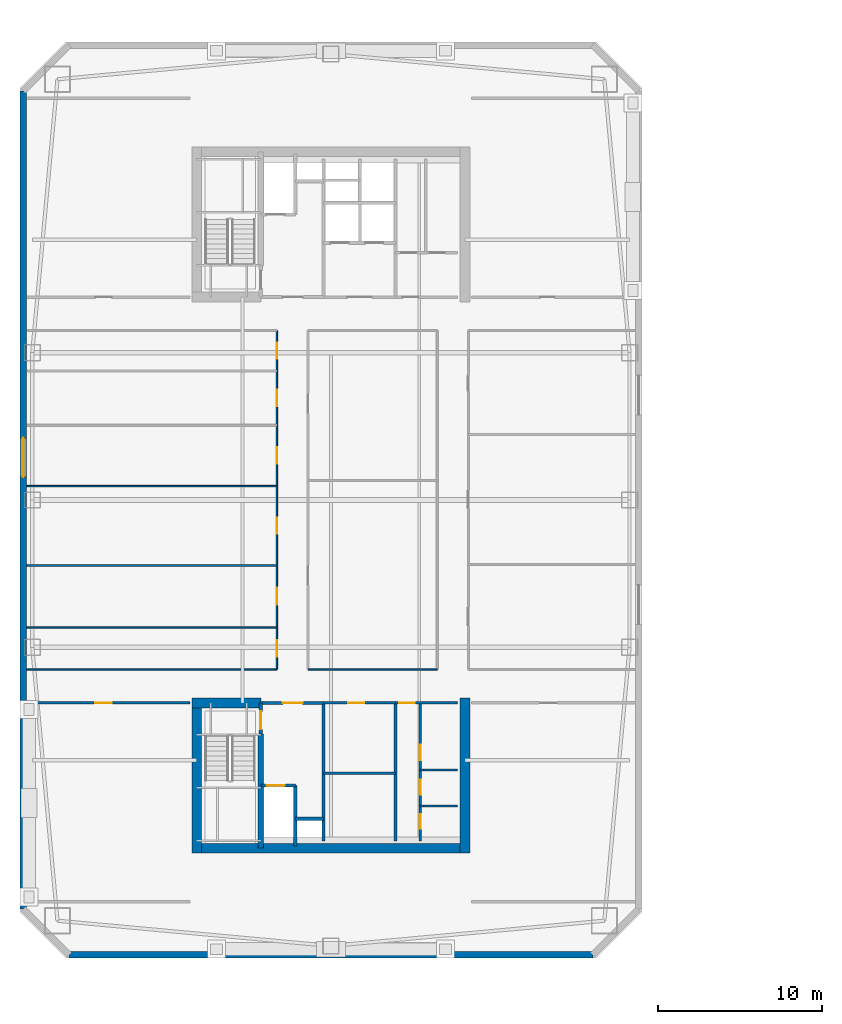
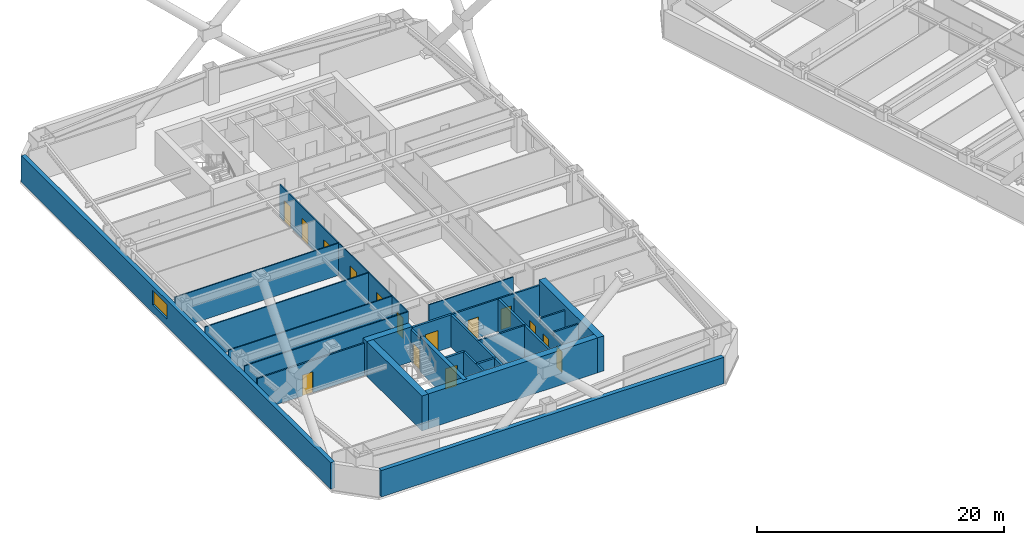
# One storey, part 4 of 12: 27 walls, 15 doors, 1 window, 16 openings.
"""IFC4 building model written with IfcOpenShell, lengths in metres."""

from ifc_helpers import new_model, si_unit, direction, frame, frame_2d, origin, place, context, subcontext, project, spatial, rectangle, extrude, material, layer, layer_set, type_object, element, fill, save


model = new_model("IFC4")

# Units and contexts
model_context = context("Model", 3, precision=1e-05, world=origin(), true_north=direction((0.0, 1.0)))
body_context = subcontext(model_context, "Body", "Model", "MODEL_VIEW")
ifc_project = project(units=[si_unit("LENGTHUNIT", "METRE"), si_unit("AREAUNIT", "SQUARE_METRE"), si_unit("VOLUMEUNIT", "CUBIC_METRE"), si_unit("PLANEANGLEUNIT", "RADIAN"), si_unit("MASSUNIT", "GRAM", prefix="KILO")], contexts=[model_context])

# Site, building, storey
site_placement = place(None, origin())
site = spatial("IfcSite", under=ifc_project, at=site_placement, CompositionType="ELEMENT")
building_placement = place(site_placement, origin())
building = spatial("IfcBuilding", under=site, at=building_placement, Name="Qiaolan Cultural Towers", CompositionType="ELEMENT")
storey_placement = place(building_placement, frame((0.0, 0.0, 106.949951171875)))
storey = spatial("IfcBuildingStorey", under=building, at=storey_placement, Name="L27", CompositionType="ELEMENT", Elevation=106.949951171875)

# Walls
ifc_material_1 = material(Name="Concrete C50", Category="concrete")
ifc_layer_1 = layer(ifc_material_1, 0.35009765625)
ifc_layer_set_1 = layer_set([ifc_layer_1], Name="Concrete C50")
wall_type_1 = type_object("IfcWallType", Name="WL-CORE-350", PredefinedType="SHEAR", material=ifc_layer_set_1)
wall_1_placement = place(storey_placement, frame((25.719970703125, 19.699951171875, 0.0), z_axis=(0.0, 0.0, 1.0), x_axis=(0.0, -1.0, 0.0)))
element("IfcWall", 1, at=wall_1_placement, inside=storey, type_object=wall_type_1, Name="L27 T1-CS Stair Core Dividing Web", PredefinedType="SHEAR", context=body_context, shape_type="SweptSolid", body=[
    extrude(rectangle(XDim=6.97998046875, YDim=0.35009765625, at=frame_2d((3.489990234375, 0.0))), origin(), (0.0, 0.0, 1.0), 3.449951171875),
])
ifc_material_2 = material(Name="Concrete C55", Category="concrete")
ifc_layer_2 = layer(ifc_material_2, 0.60009765625)
ifc_layer_set_2 = layer_set([ifc_layer_2], Name="Concrete C55")
wall_type_2 = type_object("IfcWallType", Name="WL-CORE-600", PredefinedType="SHEAR", material=ifc_layer_set_2)
wall_2_placement = place(storey_placement, frame((21.5, 12.719970703125, 0.0), z_axis=(0.0, 0.0, 1.0), x_axis=(1.0, 0.0, 0.0)))
element("IfcWall", 2, at=wall_2_placement, inside=storey, type_object=wall_type_2, Name="L27 T1-CS Outer Core Shear Wall", PredefinedType="SHEAR", context=body_context, shape_type="SweptSolid", body=[
    extrude(rectangle(XDim=17.0, YDim=0.60009765625, at=frame_2d((8.5, 0.0))), origin(), (0.0, 0.0, 1.0), 3.449951171875),
])
for number, where, z_axis, x_axis, name in (
    (3, (21.800048828125, 21.89990234375, 0.0), (0.0, 0.0, 1.0), (0.0, -1.0, 0.0), "L27 T1-CS West Core Shear Wall"),
    (4, (38.199951171875, 21.89990234375, 0.0), (0.0, 0.0, 1.0), (0.0, -1.0, 0.0), "L27 T1-CS East Core Shear Wall"),
):
    element("IfcWall", number, at=place(storey_placement, frame(where, z_axis=z_axis, x_axis=x_axis)), inside=storey, type_object=wall_type_2, Name=name, PredefinedType="SHEAR", context=body_context, shape_type="SweptSolid", body=[
        extrude(rectangle(XDim=9.47998046875, YDim=0.60009765625, at=frame_2d((4.739990234375, 0.0))), origin(), (0.0, 0.0, 1.0), 3.449951171875),
    ])
wall_3_placement = place(storey_placement, frame((21.5, 21.60009765625, 0.0), z_axis=(0.0, 0.0, 1.0), x_axis=(1.0, 0.0, 0.0)))
element("IfcWall", 5, at=wall_3_placement, inside=storey, type_object=wall_type_2, Name="L27 T1-CS Stair Front Shear Wall", PredefinedType="SHEAR", context=body_context, shape_type="SweptSolid", body=[
    extrude(rectangle(XDim=4.219970703125, YDim=0.60009765625, at=frame_2d((2.10986328125, 0.0))), origin(), (0.0, 0.0, 1.0), 3.449951171875),
])

# Wall, opening, window
ifc_material_3 = material(Name="Precast Concrete C50 Honed Stone Pier", Category="masonry")
ifc_layer_3 = layer(ifc_material_3, 0.39990234375)
ifc_layer_set_3 = layer_set([ifc_layer_3], Name="Precast Concrete C50 Honed Stone Pier")
wall_type_3 = type_object("IfcWallType", Name="WL-EXT-PIER-400", PredefinedType="SOLIDWALL", material=ifc_layer_set_3)
wall_4_placement = place(storey_placement, frame((11.199951171875, 9.0, 0.0), z_axis=(0.0, 0.0, 1.0), x_axis=(0.0, 1.0, 0.0)))
wall_4 = element("IfcWall", 6, at=wall_4_placement, inside=storey, type_object=wall_type_3, Name="L27 West Tower Precast Pier Facade Wall F1", PredefinedType="SOLIDWALL", context=body_context, shape_type="SweptSolid", body=[
    extrude(rectangle(XDim=50.0, YDim=0.39990234375, at=frame_2d((25.0, 0.0))), origin(), (0.0, 0.0, 1.0), 2.610107421875),
])
opening_1_placement = place(wall_4_placement, frame((26.39990234375, 0.0, 0.75)))
opening_1 = element("IfcOpeningElement", 7, at=opening_1_placement, cuts=wall_4, Name="Opening W-02", PredefinedType="OPENING", context=body_context, shape_type="SweptSolid", body=[
    extrude(rectangle(XDim=2.39990234375, YDim=1.4599609375, at=frame_2d((1.199951171875, 0.72998046875))), frame((0.0, 0.2099609375, 0.0), z_axis=(0.0, -1.0, 0.0), x_axis=(1.0, 0.0, 0.0)), (0.0, 0.0, 1.0), 0.419921875),
])
ifc_material_4 = material(Name="Thermally Broken Aluminium Triple Low-E Glazing", Category="aluminium")
window_type = type_object("IfcWindowType", Name="WN-CHIC-2400", PartitioningType="SINGLE_PANEL", PredefinedType="WINDOW", material=ifc_material_4)
window_placement = place(opening_1_placement, origin())
window = element("IfcWindow", 8, at=window_placement, inside=storey, type_object=window_type, Name="L27 T1 W Chicago Bay Window 1", OverallHeight=1.4599609375, OverallWidth=2.39990234375, PartitioningType="TRIPLE_PANEL_VERTICAL", PredefinedType="WINDOW", context=body_context, shape_type="SweptSolid", body=[
    extrude(rectangle(XDim=2.39990234375, YDim=1.4599609375, at=frame_2d((1.199951171875, 0.72998046875))), frame((0.0, 0.030029296875, 0.0), z_axis=(0.0, -1.0, 0.0), x_axis=(1.0, 0.0, 0.0)), (0.0, 0.0, 1.0), 0.06005859375),
])
fill(opening_1, window)

# Wall
wall_5_placement = place(storey_placement, frame((46.0, 6.199951171875, 0.0), z_axis=(0.0, 0.0, 1.0), x_axis=(-1.0, 0.0, 0.0)))
element("IfcWall", 9, at=wall_5_placement, inside=storey, type_object=wall_type_3, Name="L27 West Tower Precast Pier Facade Wall F7", PredefinedType="SOLIDWALL", context=body_context, shape_type="SweptSolid", body=[
    extrude(rectangle(XDim=32.0, YDim=0.39990234375, at=frame_2d((16.0, 0.0))), origin(), (0.0, 0.0, 1.0), 2.610107421875),
])

# Wall, opening, door
ifc_material_5 = material(Name="Concrete C35 Fire Wall", Category="concrete")
ifc_layer_4 = layer(ifc_material_5, 0.199951171875)
ifc_layer_set_4 = layer_set([ifc_layer_4], Name="Concrete C35 Fire Wall")
wall_type_4 = type_object("IfcWallType", Name="WL-FIRE-200", PredefinedType="PARTITIONING", material=ifc_layer_set_4)
wall_6_placement = place(storey_placement, frame((25.719970703125, 21.60009765625, 0.0), z_axis=(0.0, 0.0, 1.0), x_axis=(0.0, -1.0, 0.0)))
wall_6 = element("IfcWall", 10, at=wall_6_placement, inside=storey, type_object=wall_type_4, Name="L27 T1-CS Smokeproof Stair Entry Wall", PredefinedType="PARTITIONING", context=body_context, shape_type="SweptSolid", body=[
    extrude(rectangle(XDim=1.900146484375, YDim=0.199951171875, at=frame_2d((0.9501953125, 0.0))), origin(), (0.0, 0.0, 1.0), 3.175048828125),
])
opening_2_placement = place(wall_6_placement, frame((0.52001953125, 0.0, 0.0)))
opening_2 = element("IfcOpeningElement", 11, at=opening_2_placement, cuts=wall_6, Name="Opening FD-04", PredefinedType="OPENING", context=body_context, shape_type="SweptSolid", body=[
    extrude(rectangle(XDim=1.10009765625, YDim=2.050048828125, at=frame_2d((0.550048828125, 1.02490234375))), frame((0.0, 0.10986328125, 0.0), z_axis=(0.0, -1.0, 0.0), x_axis=(1.0, 0.0, 0.0)), (0.0, 0.0, 1.0), 0.219970703125),
])
ifc_material_6 = material(Name="Galvanized Steel Command Fire Door", Category="steel")
door_type_1 = type_object("IfcDoorType", Name="DR-FD90-1100", OperationType="NOTDEFINED", PredefinedType="DOOR", material=ifc_material_6)
door_1_placement = place(opening_2_placement, origin())
door_1 = element("IfcDoor", 12, at=door_1_placement, inside=storey, type_object=door_type_1, Name="L27 ST-W1 Smokeproof Stair Fire Door", OperationType="SINGLE_SWING_LEFT", OverallHeight=2.050048828125, OverallWidth=1.10009765625, PredefinedType="DOOR", context=body_context, shape_type="SweptSolid", body=[
    extrude(rectangle(XDim=1.10009765625, YDim=2.050048828125, at=frame_2d((0.550048828125, 1.02490234375))), frame((0.0, 0.02490234375, 0.0), z_axis=(0.0, -1.0, 0.0), x_axis=(1.0, 0.0, 0.0)), (0.0, 0.0, 1.0), 0.050048828125),
])
fill(opening_2, door_1)

# Wall
wall_7_placement = place(storey_placement, frame((29.550048828125, 21.60009765625, 0.0), z_axis=(0.0, 0.0, 1.0), x_axis=(0.0, -1.0, 0.0)))
element("IfcWall", 13, at=wall_7_placement, inside=storey, type_object=wall_type_4, Name="L27 T1-CS Firefighting Zone Wall", PredefinedType="PARTITIONING", context=body_context, shape_type="SweptSolid", body=[
    extrude(rectangle(XDim=8.43017578125, YDim=0.199951171875, at=frame_2d((4.215087890625, 0.0))), origin(), (0.0, 0.0, 1.0), 3.175048828125),
])

# Wall, opening, door
wall_8_placement = place(storey_placement, frame((25.719970703125, 21.60009765625, 0.0), z_axis=(0.0, 0.0, 1.0), x_axis=(1.0, 0.0, 0.0)))
wall_8 = element("IfcWall", 14, at=wall_8_placement, inside=storey, type_object=wall_type_4, Name="L27 T1-CS Firefighting Lobby Front Wall", PredefinedType="PARTITIONING", context=body_context, shape_type="SweptSolid", body=[
    extrude(rectangle(XDim=3.830078125, YDim=0.199951171875, at=frame_2d((1.9150390625, 0.0))), origin(), (0.0, 0.0, 1.0), 3.175048828125),
])
opening_3_placement = place(wall_8_placement, frame((1.35009765625, 0.0, 0.0)))
opening_3 = element("IfcOpeningElement", 15, at=opening_3_placement, cuts=wall_8, Name="Opening FD-03", PredefinedType="OPENING", context=body_context, shape_type="SweptSolid", body=[
    extrude(rectangle(XDim=1.199951171875, YDim=2.050048828125, at=frame_2d((0.60009765625, 1.02490234375))), frame((0.0, 0.10986328125, 0.0), z_axis=(0.0, -1.0, 0.0), x_axis=(1.0, 0.0, 0.0)), (0.0, 0.0, 1.0), 0.219970703125),
])
ifc_material_7 = material(Name="Galvanized Steel Smokeproof Lobby Fire Door", Category="steel")
door_type_2 = type_object("IfcDoorType", Name="DR-FD90-1200", OperationType="NOTDEFINED", PredefinedType="DOOR", material=ifc_material_7)
door_2_placement = place(opening_3_placement, origin())
door_2 = element("IfcDoor", 16, at=door_2_placement, inside=storey, type_object=door_type_2, Name="L27 FFL-W1 Firefighting Lobby Fire Door", OperationType="SINGLE_SWING_LEFT", OverallHeight=2.050048828125, OverallWidth=1.199951171875, PredefinedType="DOOR", context=body_context, shape_type="SweptSolid", body=[
    extrude(rectangle(XDim=1.199951171875, YDim=2.050048828125, at=frame_2d((0.60009765625, 1.02490234375))), frame((0.0, 0.02490234375, 0.0), z_axis=(0.0, -1.0, 0.0), x_axis=(1.0, 0.0, 0.0)), (0.0, 0.0, 1.0), 0.050048828125),
])
fill(opening_3, door_2)

wall_9_placement = place(storey_placement, frame((25.719970703125, 16.550048828125, 0.0), z_axis=(0.0, 0.0, 1.0), x_axis=(1.0, 0.0, 0.0)))
wall_9 = element("IfcWall", 17, at=wall_9_placement, inside=storey, type_object=wall_type_4, Name="L27 T1-CS Firefighting Shaft Front Wall", PredefinedType="PARTITIONING", context=body_context, shape_type="SweptSolid", body=[
    extrude(rectangle(XDim=2.10009765625, YDim=0.199951171875, at=frame_2d((1.050048828125, 0.0))), origin(), (0.0, 0.0, 1.0), 3.175048828125),
])
opening_4_placement = place(wall_9_placement, frame((0.35009765625, 0.0, 0.0)))
opening_4 = element("IfcOpeningElement", 18, at=opening_4_placement, cuts=wall_9, Name="Opening LD-01", PredefinedType="OPENING", context=body_context, shape_type="SweptSolid", body=[
    extrude(rectangle(XDim=1.10009765625, YDim=2.050048828125, at=frame_2d((0.550048828125, 1.02490234375))), frame((0.0, 0.10986328125, 0.0), z_axis=(0.0, -1.0, 0.0), x_axis=(1.0, 0.0, 0.0)), (0.0, 0.0, 1.0), 0.219970703125),
])
ifc_material_8 = material(Name="Brushed Stainless Steel S30408 Centre-Parting Lift Landing Door", Category="steel")
door_type_3 = type_object("IfcDoorType", Name="DR-LIFT-1100", OperationType="NOTDEFINED", PredefinedType="DOOR", material=ifc_material_8)
door_3_placement = place(opening_4_placement, origin())
door_3 = element("IfcDoor", 19, at=door_3_placement, inside=storey, type_object=door_type_3, Name="L27 FFL-W1 Firefighting Lift Landing Door", OperationType="DOUBLE_DOOR_SLIDING", OverallHeight=2.050048828125, OverallWidth=1.10009765625, PredefinedType="DOOR", context=body_context, shape_type="SweptSolid", body=[
    extrude(rectangle(XDim=1.10009765625, YDim=2.050048828125, at=frame_2d((0.550048828125, 1.02490234375))), frame((0.0, 0.02490234375, 0.0), z_axis=(0.0, -1.0, 0.0), x_axis=(1.0, 0.0, 0.0)), (0.0, 0.0, 1.0), 0.050048828125),
])
fill(opening_4, door_3)

# Walls
wall_10_placement = place(storey_placement, frame((27.820068359375, 16.550048828125, 0.0), z_axis=(0.0, 0.0, 1.0), x_axis=(0.0, -1.0, 0.0)))
element("IfcWall", 20, at=wall_10_placement, inside=storey, type_object=wall_type_4, Name="L27 T1-CS Firefighting Hoistway East Wall", PredefinedType="PARTITIONING", context=body_context, shape_type="SweptSolid", body=[
    extrude(rectangle(XDim=3.699951171875, YDim=0.199951171875, at=frame_2d((1.85009765625, 0.0))), origin(), (0.0, 0.0, 1.0), 3.175048828125),
])
wall_11_placement = place(storey_placement, frame((27.820068359375, 14.52001953125, 0.0), z_axis=(0.0, 0.0, 1.0), x_axis=(1.0, 0.0, 0.0)))
element("IfcWall", 21, at=wall_11_placement, inside=storey, type_object=wall_type_4, Name="L27 T1-CS Pressurization Shaft Front Wall", PredefinedType="PARTITIONING", context=body_context, shape_type="SweptSolid", body=[
    extrude(rectangle(XDim=1.72998046875, YDim=0.199951171875, at=frame_2d((0.864990234375, 0.0))), origin(), (0.0, 0.0, 1.0), 3.175048828125),
])
wall_12_placement = place(storey_placement, frame((33.949951171875, 21.60009765625, 0.0), z_axis=(0.0, 0.0, 1.0), x_axis=(0.0, -1.0, 0.0)))
element("IfcWall", 22, at=wall_12_placement, inside=storey, type_object=wall_type_4, Name="L27 T1-CS Lift Core East Wall", PredefinedType="PARTITIONING", context=body_context, shape_type="SweptSolid", body=[
    extrude(rectangle(XDim=8.43017578125, YDim=0.199951171875, at=frame_2d((4.215087890625, 0.0))), origin(), (0.0, 0.0, 1.0), 3.175048828125),
])
ifc_material_9 = material(Name="Acoustic Double-Glazed Partition Frame", Category="glass")
ifc_layer_5 = layer(ifc_material_9, 0.10009765625)
ifc_layer_set_5 = layer_set([ifc_layer_5], Name="Acoustic Double-Glazed Partition Frame")
wall_type_5 = type_object("IfcWallType", Name="WL-GLAZED-100", PredefinedType="MOVABLE", material=ifc_layer_set_5)
wall_13_placement = place(storey_placement, frame((11.39990234375, 23.64990234375, 0.0), z_axis=(0.0, 0.0, 1.0), x_axis=(1.0, 0.0, 0.0)))
element("IfcWall", 23, at=wall_13_placement, inside=storey, type_object=wall_type_5, Name="L27 T1 Interior Wall", PredefinedType="MOVABLE", context=body_context, shape_type="SweptSolid", body=[
    extrude(rectangle(XDim=15.300048828125, YDim=0.10009765625, at=frame_2d((7.64990234375, 0.0))), origin(), (0.0, 0.0, 1.0), 3.175048828125),
])
wall_14_placement = place(storey_placement, frame((28.60009765625, 23.64990234375, 0.0), z_axis=(0.0, 0.0, 1.0), x_axis=(1.0, 0.0, 0.0)))
element("IfcWall", 24, at=wall_14_placement, inside=storey, type_object=wall_type_5, Name="L27 T1 Interior Wall", PredefinedType="MOVABLE", context=body_context, shape_type="SweptSolid", body=[
    extrude(rectangle(XDim=7.89990234375, YDim=0.10009765625, at=frame_2d((3.949951171875, 0.0))), origin(), (0.0, 0.0, 1.0), 3.175048828125),
])

# Wall, openings, doors
wall_15_placement = place(storey_placement, frame((26.699951171875, 23.64990234375, 0.0), z_axis=(0.0, 0.0, 1.0), x_axis=(0.0, 1.0, 0.0)))
wall_15 = element("IfcWall", 25, at=wall_15_placement, inside=storey, type_object=wall_type_5, Name="L27 T1 Interior Wall", PredefinedType="MOVABLE", context=body_context, shape_type="SweptSolid", body=[
    extrude(rectangle(XDim=20.7001953125, YDim=0.10009765625, at=frame_2d((10.35009765625, 0.0))), origin(), (0.0, 0.0, 1.0), 3.175048828125),
])
opening_5_placement = place(wall_15_placement, frame((0.77490234375, 0.0, 0.0)))
opening_5 = element("IfcOpeningElement", 26, at=opening_5_placement, cuts=wall_15, Name="Opening ID-04", PredefinedType="OPENING", context=body_context, shape_type="SweptSolid", body=[
    extrude(rectangle(XDim=1.0, YDim=2.050048828125, at=frame_2d((0.5, 1.02490234375))), frame((0.0, 0.06005859375, 0.0), z_axis=(0.0, -1.0, 0.0), x_axis=(1.0, 0.0, 0.0)), (0.0, 0.0, 1.0), 0.1201171875),
])
opening_6_placement = place(wall_15_placement, frame((3.949951171875, 0.0, 0.0)))
opening_6 = element("IfcOpeningElement", 27, at=opening_6_placement, cuts=wall_15, Name="Opening ID-07", PredefinedType="OPENING", context=body_context, shape_type="SweptSolid", body=[
    extrude(rectangle(XDim=1.050048828125, YDim=2.050048828125, at=frame_2d((0.52490234375, 1.02490234375))), frame((0.0, 0.06005859375, 0.0), z_axis=(0.0, -1.0, 0.0), x_axis=(1.0, 0.0, 0.0)), (0.0, 0.0, 1.0), 0.1201171875),
])
opening_7_placement = place(wall_15_placement, frame((8.27294921875, 0.0, 0.0)))
opening_7 = element("IfcOpeningElement", 28, at=opening_7_placement, cuts=wall_15, Name="Opening ID-04", PredefinedType="OPENING", context=body_context, shape_type="SweptSolid", body=[
    extrude(rectangle(XDim=1.0, YDim=2.050048828125, at=frame_2d((0.5, 1.02490234375))), frame((0.0, 0.06005859375, 0.0), z_axis=(0.0, -1.0, 0.0), x_axis=(1.0, 0.0, 0.0)), (0.0, 0.0, 1.0), 0.1201171875),
])
opening_8_placement = place(wall_15_placement, frame((12.55908203125, 0.0, 0.0)))
opening_8 = element("IfcOpeningElement", 29, at=opening_8_placement, cuts=wall_15, Name="Opening ID-04", PredefinedType="OPENING", context=body_context, shape_type="SweptSolid", body=[
    extrude(rectangle(XDim=1.0, YDim=2.050048828125, at=frame_2d((0.5, 1.02490234375))), frame((0.0, 0.06005859375, 0.0), z_axis=(0.0, -1.0, 0.0), x_axis=(1.0, 0.0, 0.0)), (0.0, 0.0, 1.0), 0.1201171875),
])
opening_9_placement = place(wall_15_placement, frame((16.077880859375, 0.0, 0.0)))
opening_9 = element("IfcOpeningElement", 30, at=opening_9_placement, cuts=wall_15, Name="Opening ID-04", PredefinedType="OPENING", context=body_context, shape_type="SweptSolid", body=[
    extrude(rectangle(XDim=1.0, YDim=2.050048828125, at=frame_2d((0.5, 1.02490234375))), frame((0.0, 0.06005859375, 0.0), z_axis=(0.0, -1.0, 0.0), x_axis=(1.0, 0.0, 0.0)), (0.0, 0.0, 1.0), 0.1201171875),
])
opening_10_placement = place(wall_15_placement, frame((18.967041015625, 0.0, 0.0)))
opening_10 = element("IfcOpeningElement", 31, at=opening_10_placement, cuts=wall_15, Name="Opening ID-04", PredefinedType="OPENING", context=body_context, shape_type="SweptSolid", body=[
    extrude(rectangle(XDim=1.0, YDim=2.050048828125, at=frame_2d((0.5, 1.02490234375))), frame((0.0, 0.06005859375, 0.0), z_axis=(0.0, -1.0, 0.0), x_axis=(1.0, 0.0, 0.0)), (0.0, 0.0, 1.0), 0.1201171875),
])
ifc_material_10 = material(Name="Oak Veneer Acoustic Office Door", Category="timber")
door_type_4 = type_object("IfcDoorType", Name="DR-INT-1000", OperationType="NOTDEFINED", PredefinedType="DOOR", material=ifc_material_10)
door_4_placement = place(opening_5_placement, origin())
door_4 = element("IfcDoor", 32, at=door_4_placement, inside=storey, type_object=door_type_4, Name="L27 T1 Advisory Office Door", OperationType="SINGLE_SWING_LEFT", OverallHeight=2.050048828125, OverallWidth=1.0, PredefinedType="DOOR", context=body_context, shape_type="SweptSolid", body=[
    extrude(rectangle(XDim=1.0, YDim=2.050048828125, at=frame_2d((0.5, 1.02490234375))), frame((0.0, 0.02490234375, 0.0), z_axis=(0.0, -1.0, 0.0), x_axis=(1.0, 0.0, 0.0)), (0.0, 0.0, 1.0), 0.050048828125),
])
fill(opening_5, door_4)
door_5_placement = place(opening_7_placement, origin())
door_5 = element("IfcDoor", 33, at=door_5_placement, inside=storey, type_object=door_type_4, Name="L27 T1 Advisory Office Door", OperationType="SINGLE_SWING_LEFT", OverallHeight=2.050048828125, OverallWidth=1.0, PredefinedType="DOOR", context=body_context, shape_type="SweptSolid", body=[
    extrude(rectangle(XDim=1.0, YDim=2.050048828125, at=frame_2d((0.5, 1.02490234375))), frame((0.0, 0.02490234375, 0.0), z_axis=(0.0, -1.0, 0.0), x_axis=(1.0, 0.0, 0.0)), (0.0, 0.0, 1.0), 0.050048828125),
])
fill(opening_7, door_5)
door_6_placement = place(opening_8_placement, origin())
door_6 = element("IfcDoor", 34, at=door_6_placement, inside=storey, type_object=door_type_4, Name="L27 T1 Advisory Office Door", OperationType="SINGLE_SWING_RIGHT", OverallHeight=2.050048828125, OverallWidth=1.0, PredefinedType="DOOR", context=body_context, shape_type="SweptSolid", body=[
    extrude(rectangle(XDim=1.0, YDim=2.050048828125, at=frame_2d((0.5, 1.02490234375))), frame((0.0, 0.02490234375, 0.0), z_axis=(0.0, -1.0, 0.0), x_axis=(1.0, 0.0, 0.0)), (0.0, 0.0, 1.0), 0.050048828125),
])
fill(opening_8, door_6)
door_7_placement = place(opening_9_placement, origin())
door_7 = element("IfcDoor", 35, at=door_7_placement, inside=storey, type_object=door_type_4, Name="L27 T1 Advisory Office Door", OperationType="SINGLE_SWING_LEFT", OverallHeight=2.050048828125, OverallWidth=1.0, PredefinedType="DOOR", context=body_context, shape_type="SweptSolid", body=[
    extrude(rectangle(XDim=1.0, YDim=2.050048828125, at=frame_2d((0.5, 1.02490234375))), frame((0.0, 0.02490234375, 0.0), z_axis=(0.0, -1.0, 0.0), x_axis=(1.0, 0.0, 0.0)), (0.0, 0.0, 1.0), 0.050048828125),
])
fill(opening_9, door_7)
door_8_placement = place(opening_10_placement, origin())
door_8 = element("IfcDoor", 36, at=door_8_placement, inside=storey, type_object=door_type_4, Name="L27 T1 Advisory Office Door", OperationType="SINGLE_SWING_RIGHT", OverallHeight=2.050048828125, OverallWidth=1.0, PredefinedType="DOOR", context=body_context, shape_type="SweptSolid", body=[
    extrude(rectangle(XDim=1.0, YDim=2.050048828125, at=frame_2d((0.5, 1.02490234375))), frame((0.0, 0.02490234375, 0.0), z_axis=(0.0, -1.0, 0.0), x_axis=(1.0, 0.0, 0.0)), (0.0, 0.0, 1.0), 0.050048828125),
])
fill(opening_10, door_8)
ifc_material_11 = material(Name="Oak Veneer Consultation Door", Category="timber")
door_type_5 = type_object("IfcDoorType", Name="DR-INT-1050", OperationType="NOTDEFINED", PredefinedType="DOOR", material=ifc_material_11)
door_9_placement = place(opening_6_placement, origin())
door_9 = element("IfcDoor", 37, at=door_9_placement, inside=storey, type_object=door_type_5, Name="L27 T1 Advisory Office Door", OperationType="SINGLE_SWING_RIGHT", OverallHeight=2.050048828125, OverallWidth=1.050048828125, PredefinedType="DOOR", context=body_context, shape_type="SweptSolid", body=[
    extrude(rectangle(XDim=1.050048828125, YDim=2.050048828125, at=frame_2d((0.52490234375, 1.02490234375))), frame((0.0, 0.02490234375, 0.0), z_axis=(0.0, -1.0, 0.0), x_axis=(1.0, 0.0, 0.0)), (0.0, 0.0, 1.0), 0.050048828125),
])
fill(opening_6, door_9)

# Walls
for number, where, z_axis, x_axis, name in (
    (38, (11.39990234375, 26.199951171875, 0.0), (0.0, 0.0, 1.0), (1.0, 0.0, 0.0), "L27 T1 Interior Wall"),
    (39, (11.39990234375, 30.0, 0.0), (0.0, 0.0, 1.0), (1.0, 0.0, 0.0), "L27 T1 Interior Wall"),
    (40, (11.39990234375, 34.845947265625, 0.0), (0.0, 0.0, 1.0), (1.0, 0.0, 0.0), "L27 T1 Interior Wall"),
):
    element("IfcWall", number, at=place(storey_placement, frame(where, z_axis=z_axis, x_axis=x_axis)), inside=storey, type_object=wall_type_5, Name=name, PredefinedType="MOVABLE", context=body_context, shape_type="SweptSolid", body=[
        extrude(rectangle(XDim=15.300048828125, YDim=0.10009765625, at=frame_2d((7.64990234375, 0.0))), origin(), (0.0, 0.0, 1.0), 3.175048828125),
    ])

# Wall, opening, door
ifc_material_12 = material(Name="Autoclaved Aerated Concrete Block B06", Category="concrete")
ifc_layer_6 = layer(ifc_material_12, 0.14990234375)
ifc_layer_set_6 = layer_set([ifc_layer_6], Name="Autoclaved Aerated Concrete Block B06")
wall_type_6 = type_object("IfcWallType", Name="WL-PART-150", PredefinedType="PARTITIONING", material=ifc_layer_set_6)
wall_16_placement = place(storey_placement, frame((29.550048828125, 21.60009765625, 0.0), z_axis=(0.0, 0.0, 1.0), x_axis=(1.0, 0.0, 0.0)))
wall_16 = element("IfcWall", 41, at=wall_16_placement, inside=storey, type_object=wall_type_6, Name="L27 T1-CS Reclaimed Core Room Front Wall", PredefinedType="PARTITIONING", context=body_context, shape_type="SweptSolid", body=[
    extrude(rectangle(XDim=4.39990234375, YDim=0.14990234375, at=frame_2d((2.199951171875, 0.0))), origin(), (0.0, 0.0, 1.0), 3.175048828125),
])
opening_11_placement = place(wall_16_placement, frame((1.5, 0.0, 0.0)))
opening_11 = element("IfcOpeningElement", 42, at=opening_11_placement, cuts=wall_16, Name="Opening ID-04", PredefinedType="OPENING", context=body_context, shape_type="SweptSolid", body=[
    extrude(rectangle(XDim=1.0, YDim=2.050048828125, at=frame_2d((0.5, 1.02490234375))), frame((0.0, 0.0849609375, 0.0), z_axis=(0.0, -1.0, 0.0), x_axis=(1.0, 0.0, 0.0)), (0.0, 0.0, 1.0), 0.169921875),
])
door_10_placement = place(opening_11_placement, origin())
door_10 = element("IfcDoor", 43, at=door_10_placement, inside=storey, type_object=door_type_4, Name="L27 Focus Pod Room Door", OperationType="SINGLE_SWING_LEFT", OverallHeight=2.050048828125, OverallWidth=1.0, PredefinedType="DOOR", context=body_context, shape_type="SweptSolid", body=[
    extrude(rectangle(XDim=1.0, YDim=2.050048828125, at=frame_2d((0.5, 1.02490234375))), frame((0.0, 0.02490234375, 0.0), z_axis=(0.0, -1.0, 0.0), x_axis=(1.0, 0.0, 0.0)), (0.0, 0.0, 1.0), 0.050048828125),
])
fill(opening_11, door_10)

# Wall
wall_17_placement = place(storey_placement, frame((29.550048828125, 17.300048828125, 0.0), z_axis=(0.0, 0.0, 1.0), x_axis=(1.0, 0.0, 0.0)))
element("IfcWall", 44, at=wall_17_placement, inside=storey, type_object=wall_type_6, Name="L27 T1-CS Reclaimed Room Subdivider", PredefinedType="PARTITIONING", context=body_context, shape_type="SweptSolid", body=[
    extrude(rectangle(XDim=4.39990234375, YDim=0.14990234375, at=frame_2d((2.199951171875, 0.0))), origin(), (0.0, 0.0, 1.0), 3.175048828125),
])

# Wall, opening, door
wall_18_placement = place(storey_placement, frame((33.949951171875, 21.60009765625, 0.0), z_axis=(0.0, 0.0, 1.0), x_axis=(1.0, 0.0, 0.0)))
wall_18 = element("IfcWall", 45, at=wall_18_placement, inside=storey, type_object=wall_type_6, Name="L27 T1-CS Sanitary Core Front Wall", PredefinedType="PARTITIONING", context=body_context, shape_type="SweptSolid", body=[
    extrude(rectangle(XDim=3.800048828125, YDim=0.14990234375, at=frame_2d((1.89990234375, 0.0))), origin(), (0.0, 0.0, 1.0), 3.175048828125),
])
opening_12_placement = place(wall_18_placement, frame((0.219970703125, 0.0, 0.0)))
opening_12 = element("IfcOpeningElement", 46, at=opening_12_placement, cuts=wall_18, Name="Opening ID-05", PredefinedType="OPENING", context=body_context, shape_type="SweptSolid", body=[
    extrude(rectangle(XDim=0.949951171875, YDim=2.050048828125, at=frame_2d((0.47509765625, 1.02490234375))), frame((0.0, 0.0849609375, 0.0), z_axis=(0.0, -1.0, 0.0), x_axis=(1.0, 0.0, 0.0)), (0.0, 0.0, 1.0), 0.169921875),
])
ifc_material_13 = material(Name="Fire-Rated Laminate Accessible Core Door", Category="timber")
door_type_6 = type_object("IfcDoorType", Name="DR-INT-950", OperationType="NOTDEFINED", PredefinedType="DOOR", material=ifc_material_13)
door_11_placement = place(opening_12_placement, origin())
door_11 = element("IfcDoor", 47, at=door_11_placement, inside=storey, type_object=door_type_6, Name="L27 Sanitary Vestibule Door", OperationType="SINGLE_SWING_LEFT", OverallHeight=2.050048828125, OverallWidth=0.949951171875, PredefinedType="DOOR", context=body_context, shape_type="SweptSolid", body=[
    extrude(rectangle(XDim=0.949951171875, YDim=2.050048828125, at=frame_2d((0.47509765625, 1.02490234375))), frame((0.0, 0.02490234375, 0.0), z_axis=(0.0, -1.0, 0.0), x_axis=(1.0, 0.0, 0.0)), (0.0, 0.0, 1.0), 0.050048828125),
])
fill(opening_12, door_11)

# Wall, openings, doors
wall_19_placement = place(storey_placement, frame((35.449951171875, 21.60009765625, 0.0), z_axis=(0.0, 0.0, 1.0), x_axis=(0.0, -1.0, 0.0)))
wall_19 = element("IfcWall", 48, at=wall_19_placement, inside=storey, type_object=wall_type_6, Name="L27 T1-CS Sanitary Vestibule Wall", PredefinedType="PARTITIONING", context=body_context, shape_type="SweptSolid", body=[
    extrude(rectangle(XDim=8.43017578125, YDim=0.14990234375, at=frame_2d((4.215087890625, 0.0))), origin(), (0.0, 0.0, 1.0), 2.81494140625),
])
opening_13_placement = place(wall_19_placement, frame((2.550048828125, 0.0, 0.0)))
opening_13 = element("IfcOpeningElement", 49, at=opening_13_placement, cuts=wall_19, Name="Opening ID-05", PredefinedType="OPENING", context=body_context, shape_type="SweptSolid", body=[
    extrude(rectangle(XDim=0.949951171875, YDim=2.050048828125, at=frame_2d((0.47509765625, 1.02490234375))), frame((0.0, 0.0849609375, 0.0), z_axis=(0.0, -1.0, 0.0), x_axis=(1.0, 0.0, 0.0)), (0.0, 0.0, 1.0), 0.169921875),
])
opening_14_placement = place(wall_19_placement, frame((4.699951171875, 0.0, 0.0)))
opening_14 = element("IfcOpeningElement", 50, at=opening_14_placement, cuts=wall_19, Name="Opening ID-06", PredefinedType="OPENING", context=body_context, shape_type="SweptSolid", body=[
    extrude(rectangle(XDim=0.89990234375, YDim=2.050048828125, at=frame_2d((0.449951171875, 1.02490234375))), frame((0.0, 0.0849609375, 0.0), z_axis=(0.0, -1.0, 0.0), x_axis=(1.0, 0.0, 0.0)), (0.0, 0.0, 1.0), 0.169921875),
])
opening_15_placement = place(wall_19_placement, frame((6.800048828125, 0.0, 0.0)))
opening_15 = element("IfcOpeningElement", 51, at=opening_15_placement, cuts=wall_19, Name="Opening ID-06", PredefinedType="OPENING", context=body_context, shape_type="SweptSolid", body=[
    extrude(rectangle(XDim=0.89990234375, YDim=2.050048828125, at=frame_2d((0.449951171875, 1.02490234375))), frame((0.0, 0.0849609375, 0.0), z_axis=(0.0, -1.0, 0.0), x_axis=(1.0, 0.0, 0.0)), (0.0, 0.0, 1.0), 0.169921875),
])
ifc_material_14 = material(Name="Fire-Rated Laminate Core Service Door", Category="timber")
door_type_7 = type_object("IfcDoorType", Name="DR-INT-900", OperationType="NOTDEFINED", PredefinedType="DOOR", material=ifc_material_14)
door_12_placement = place(opening_14_placement, origin())
door_12 = element("IfcDoor", 52, at=door_12_placement, inside=storey, type_object=door_type_7, Name="L27 Men Washroom Door", OperationType="SINGLE_SWING_LEFT", OverallHeight=2.050048828125, OverallWidth=0.89990234375, PredefinedType="DOOR", context=body_context, shape_type="SweptSolid", body=[
    extrude(rectangle(XDim=0.89990234375, YDim=2.050048828125, at=frame_2d((0.449951171875, 1.02490234375))), frame((0.0, 0.02490234375, 0.0), z_axis=(0.0, -1.0, 0.0), x_axis=(1.0, 0.0, 0.0)), (0.0, 0.0, 1.0), 0.050048828125),
])
fill(opening_14, door_12)
door_13_placement = place(opening_15_placement, origin())
door_13 = element("IfcDoor", 53, at=door_13_placement, inside=storey, type_object=door_type_7, Name="L27 Women Washroom Door", OperationType="SINGLE_SWING_RIGHT", OverallHeight=2.050048828125, OverallWidth=0.89990234375, PredefinedType="DOOR", context=body_context, shape_type="SweptSolid", body=[
    extrude(rectangle(XDim=0.89990234375, YDim=2.050048828125, at=frame_2d((0.449951171875, 1.02490234375))), frame((0.0, 0.02490234375, 0.0), z_axis=(0.0, -1.0, 0.0), x_axis=(1.0, 0.0, 0.0)), (0.0, 0.0, 1.0), 0.050048828125),
])
fill(opening_15, door_13)
door_14_placement = place(opening_13_placement, origin())
door_14 = element("IfcDoor", 54, at=door_14_placement, inside=storey, type_object=door_type_6, Name="L27 Accessible Family Washroom Door", OperationType="SINGLE_SWING_LEFT", OverallHeight=2.050048828125, OverallWidth=0.949951171875, PredefinedType="DOOR", context=body_context, shape_type="SweptSolid", body=[
    extrude(rectangle(XDim=0.949951171875, YDim=2.050048828125, at=frame_2d((0.47509765625, 1.02490234375))), frame((0.0, 0.02490234375, 0.0), z_axis=(0.0, -1.0, 0.0), x_axis=(1.0, 0.0, 0.0)), (0.0, 0.0, 1.0), 0.050048828125),
])
fill(opening_13, door_14)

# Walls
for number, where, z_axis, x_axis, name in (
    (55, (35.449951171875, 17.5, 0.0), (0.0, 0.0, 1.0), (1.0, 0.0, 0.0), "L27 T1-CS Restroom Split Wall 1"),
    (56, (35.449951171875, 15.300048828125, 0.0), (0.0, 0.0, 1.0), (1.0, 0.0, 0.0), "L27 T1-CS Restroom Split Wall 2"),
):
    element("IfcWall", number, at=place(storey_placement, frame(where, z_axis=z_axis, x_axis=x_axis)), inside=storey, type_object=wall_type_6, Name=name, PredefinedType="PARTITIONING", context=body_context, shape_type="SweptSolid", body=[
        extrude(rectangle(XDim=2.300048828125, YDim=0.14990234375, at=frame_2d((1.14990234375, 0.0))), origin(), (0.0, 0.0, 1.0), 3.175048828125),
    ])

# Wall, opening, door
wall_20_placement = place(storey_placement, frame((11.39990234375, 21.60009765625, 0.0), z_axis=(0.0, 0.0, 1.0), x_axis=(1.0, 0.0, 0.0)))
wall_20 = element("IfcWall", 57, at=wall_20_placement, inside=storey, type_object=wall_type_6, Name="L27 T1 Flank Front FLK-SW", PredefinedType="PARTITIONING", context=body_context, shape_type="SweptSolid", body=[
    extrude(rectangle(XDim=10.0, YDim=0.14990234375, at=frame_2d((5.0, 0.0))), origin(), (0.0, 0.0, 1.0), 3.175048828125),
])
opening_16_placement = place(wall_20_placement, frame((4.199951171875, 0.0, 0.0)))
opening_16 = element("IfcOpeningElement", 58, at=opening_16_placement, cuts=wall_20, Name="Opening ID-04", PredefinedType="OPENING", context=body_context, shape_type="SweptSolid", body=[
    extrude(rectangle(XDim=1.0, YDim=2.050048828125, at=frame_2d((0.5, 1.02490234375))), frame((0.0, 0.0849609375, 0.0), z_axis=(0.0, -1.0, 0.0), x_axis=(1.0, 0.0, 0.0)), (0.0, 0.0, 1.0), 0.169921875),
])
door_15_placement = place(opening_16_placement, origin())
door_15 = element("IfcDoor", 59, at=door_15_placement, inside=storey, type_object=door_type_4, Name="L27 T1 Corner Studio Door", OperationType="SINGLE_SWING_LEFT", OverallHeight=2.050048828125, OverallWidth=1.0, PredefinedType="DOOR", context=body_context, shape_type="SweptSolid", body=[
    extrude(rectangle(XDim=1.0, YDim=2.050048828125, at=frame_2d((0.5, 1.02490234375))), frame((0.0, 0.02490234375, 0.0), z_axis=(0.0, -1.0, 0.0), x_axis=(1.0, 0.0, 0.0)), (0.0, 0.0, 1.0), 0.050048828125),
])
fill(opening_16, door_15)

save(model, "model.ifc")
